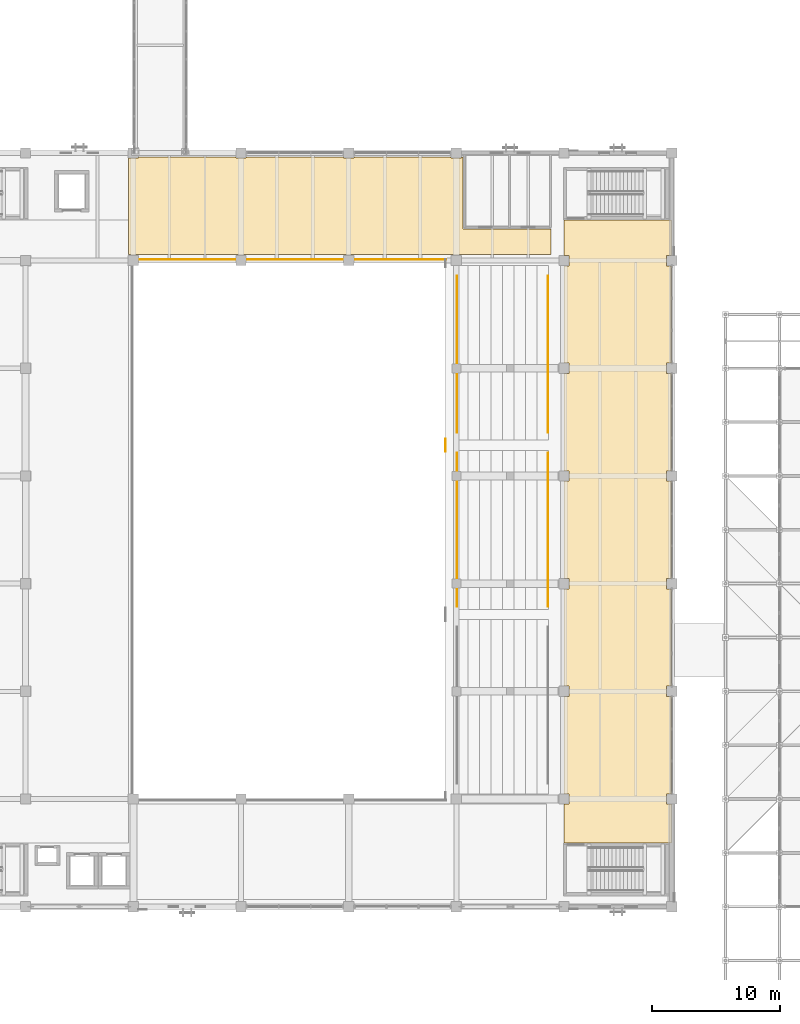
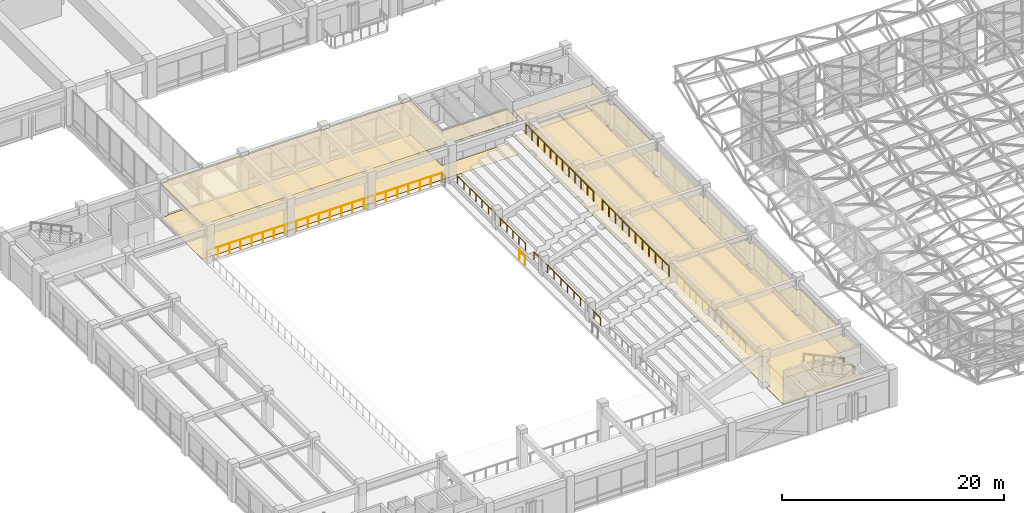
# One storey, part 108 of 132: 6 railings, 4 coverings.
"""IFC4 building model written with IfcOpenShell, lengths in metres."""

import ifcopenshell
import ifcopenshell.guid

model = None  # the IFC model being written
_history = None  # IfcOwnerHistory: only IFC2X3 demands one
_inside = {}  # id of a spatial element -> (the spatial element, [elements in it])
_under = {}  # id of a project, library or spatial element -> (it, [spatial elements below it])
_declared = {}  # id of a project -> (the project, [libraries it declares])
_typed = {}  # id of a type object -> (the type object, [elements of that type])
_made_of = {}  # id of a material, layer set ... -> (it, [elements and type objects made of it])


def new_model(schema):
    """Start an empty IFC model of exactly this schema.

    Asked for "IFC4X3", IfcOpenShell would pick the latest addendum, in which some entities
    have other attributes; the version numbers below select the first issue.
    IFC2X3 requires an IfcOwnerHistory on every rooted entity: one is made here for all.
    """
    global model, _history
    if schema == "IFC4X3":
        model = ifcopenshell.file(schema_version=(4, 3, 0, 0))
    else:
        model = ifcopenshell.file(schema=schema)
    _inside.clear()
    _under.clear()
    _declared.clear()
    _typed.clear()
    _made_of.clear()
    _history = None
    if model.schema == "IFC2X3":
        org = make("IfcOrganization", Name="unknown")
        user = make(
            "IfcPersonAndOrganization",
            ThePerson=make("IfcPerson", FamilyName="unknown"),
            TheOrganization=org,
        )
        app = make(
            "IfcApplication",
            ApplicationDeveloper=org,
            Version="unknown",
            ApplicationFullName="unknown",
            ApplicationIdentifier="unknown",
        )
        _history = make(
            "IfcOwnerHistory",
            OwningUser=user,
            OwningApplication=app,
            ChangeAction="ADDED",
            CreationDate=0,
        )
    return model


def make(cls, **values):
    """One entity of the class cls with the attributes given. An attribute that is None is left unset."""
    return model.create_entity(
        cls, **{name: value for name, value in values.items() if value is not None}
    )


def rooted(cls, **values):
    """An entity with a GlobalId (a new one), such as an element, a storey or a relation."""
    return make(cls, GlobalId=ifcopenshell.guid.new(), OwnerHistory=_history, **values)


def si_unit(unit_type, name, prefix=None):
    """IfcSIUnit, for example si_unit("LENGTHUNIT", "METRE", prefix="MILLI")."""
    return make("IfcSIUnit", UnitType=unit_type, Prefix=prefix, Name=name)


def assignment(units):
    """IfcUnitAssignment: the units of a project."""
    return None if units is None else make("IfcUnitAssignment", Units=units)


def point(xyz):
    """IfcCartesianPoint."""
    return None if xyz is None else make("IfcCartesianPoint", Coordinates=xyz)


def direction(xyz):
    """IfcDirection."""
    return None if xyz is None else make("IfcDirection", DirectionRatios=xyz)


def frame(location, z_axis=None, x_axis=None):
    """IfcAxis2Placement3D, a coordinate frame: its origin and axes. An axis left out is left unset."""
    return make(
        "IfcAxis2Placement3D",
        Location=point(location),
        Axis=direction(z_axis),
        RefDirection=direction(x_axis),
    )


def frame_2d(location, x_axis=None):
    """IfcAxis2Placement2D, a coordinate frame in the plane: its origin and x axis."""
    return make(
        "IfcAxis2Placement2D", Location=point(location), RefDirection=direction(x_axis)
    )


def origin():
    """The frame at (0, 0, 0) with its axes left unset."""
    return frame((0.0, 0.0, 0.0))


def origin_2d():
    """The frame at (0, 0) in the plane with its x axis left unset."""
    return frame_2d((0.0, 0.0))


def place(relative_to, where):
    """IfcLocalPlacement: puts the frame where relative to a parent placement (None: the world)."""
    return make(
        "IfcLocalPlacement", PlacementRelTo=relative_to, RelativePlacement=where
    )


def context(
    kind, dimensions, precision=None, world=None, true_north=None, identifier=None
):
    """IfcGeometricRepresentationContext, for example the 3D "Model" context."""
    return make(
        "IfcGeometricRepresentationContext",
        ContextIdentifier=identifier,
        ContextType=kind,
        CoordinateSpaceDimension=dimensions,
        Precision=precision,
        WorldCoordinateSystem=world,
        TrueNorth=true_north,
    )


def subcontext(parent, identifier, kind, view, scale=None):
    """IfcGeometricRepresentationSubContext, for example "Body" below "Model"."""
    return make(
        "IfcGeometricRepresentationSubContext",
        ContextIdentifier=identifier,
        ContextType=kind,
        ParentContext=parent,
        TargetScale=scale,
        TargetView=view,
    )


def project(units=None, contexts=None):
    """IfcProject with its units and contexts."""
    return rooted(
        "IfcProject",
        Name="project",
        RepresentationContexts=contexts,
        UnitsInContext=assignment(units),
    )


def spatial(cls, under=None, at=None, **own):
    """A site, building, storey or space (cls), placed at a placement, below another one or the project."""
    s = rooted(cls, ObjectPlacement=at, **own)
    if under is not None:
        _under.setdefault(under.id(), (under, []))[1].append(s)
    return s


def polyline(points):
    """IfcPolyline through the points."""
    return make("IfcPolyline", Points=[point(p) for p in points])


def profile(cls, at=None, kind="AREA", **sizes):
    """A parametric profile (cls). Its sizes go by their IFC names, for example OverallWidth=200.0."""
    return make(cls, ProfileType=kind, Position=at, **sizes)


def circle(**sizes):
    """IfcCircleProfileDef."""
    return profile("IfcCircleProfileDef", **sizes)


def outline(outer, holes=None, kind="AREA"):
    """IfcArbitraryClosedProfileDef: a profile drawn as a closed curve; with holes, ...WithVoids."""
    if holes is None:
        return make("IfcArbitraryClosedProfileDef", ProfileType=kind, OuterCurve=outer)
    return make(
        "IfcArbitraryProfileDefWithVoids",
        ProfileType=kind,
        OuterCurve=outer,
        InnerCurves=holes,
    )


def extrude(swept, where, along, depth):
    """IfcExtrudedAreaSolid: the profile swept, set in the frame where, extruded along a direction by depth."""
    return make(
        "IfcExtrudedAreaSolid",
        SweptArea=swept,
        Position=where,
        ExtrudedDirection=direction(along),
        Depth=depth,
    )


def shape(context_of_items, identifier, shape_type, items):
    """IfcShapeRepresentation: the items that make up one representation, for example the "Body"."""
    return make(
        "IfcShapeRepresentation",
        ContextOfItems=context_of_items,
        RepresentationIdentifier=identifier,
        RepresentationType=shape_type,
        Items=items,
    )


def material(Name=None, Category=None):
    """IfcMaterial."""
    return make("IfcMaterial", Name=Name, Category=Category)


def layer(
    of_material, thickness, ventilated=None, Name=None, Category=None, Priority=None
):
    """IfcMaterialLayer: one layer of a wall or slab, of a material (None: an air gap)."""
    return make(
        "IfcMaterialLayer",
        Material=of_material,
        LayerThickness=thickness,
        IsVentilated=ventilated,
        Name=Name,
        Category=Category,
        Priority=Priority,
    )


def layer_set(layers, Name=None):
    """IfcMaterialLayerSet."""
    return make("IfcMaterialLayerSet", MaterialLayers=layers, LayerSetName=Name)


def made_of(thing, what):
    """Note that an element or type object is made of a material, layer set ...; save() writes the relation."""
    if what is not None:
        _made_of.setdefault(what.id(), (what, []))[1].append(thing)
    return thing


def type_object(cls, material=None, **own):
    """A type object (cls), such as IfcWallType, which elements share."""
    return made_of(rooted(cls, **own), material)


def element(
    cls,
    number,
    at=None,
    inside=None,
    cuts=None,
    type_object=None,
    material=None,
    context=None,
    identifier="Body",
    shape_type=None,
    held_by="IfcProductDefinitionShape",
    body=None,
    shapes=None,
    **own,
):
    """One element of the class cls, such as IfcWall. Its Tag is "e" and its number.

    at: its placement. inside: the storey or other place that contains it. cuts: it is an
    opening in that element (IfcRelVoidsElement). A single representation is given by context,
    identifier, shape_type and body (its items); several are given by shapes. held_by: the class
    of the entity that holds the representations. save() writes the other relations.
    """
    e = rooted(cls, Tag="e%d" % number, ObjectPlacement=at, **own)
    if body is not None:
        shapes = [shape(context, identifier, shape_type, body)]
    if shapes is not None:
        e.Representation = make(held_by, Representations=shapes)
    if inside is not None:
        _inside.setdefault(inside.id(), (inside, []))[1].append(e)
    if cuts is not None:
        rooted(
            "IfcRelVoidsElement", RelatingBuildingElement=cuts, RelatedOpeningElement=e
        )
    if type_object is not None:
        _typed.setdefault(type_object.id(), (type_object, []))[1].append(e)
    return made_of(e, material)


def aggregate(whole, parts):
    """IfcRelAggregates: a whole, such as a stair, and the parts it consists of."""
    return rooted("IfcRelAggregates", RelatingObject=whole, RelatedObjects=parts)


def save(model, path):
    """Write the relations noted so far, then the file.

    IfcRelAggregates (storeys below a building ...), IfcRelContainedInSpatialStructure (elements
    in a storey), IfcRelDefinesByType, IfcRelAssociatesMaterial and IfcRelDeclares: one each for
    every whole, place, type object, material and project.
    """
    for whole, parts in _under.values():
        aggregate(whole, parts)
    for where, things in _inside.values():
        rooted(
            "IfcRelContainedInSpatialStructure",
            RelatedElements=things,
            RelatingStructure=where,
        )
    for kind, things in _typed.values():
        rooted("IfcRelDefinesByType", RelatedObjects=things, RelatingType=kind)
    for what, things in _made_of.values():
        rooted("IfcRelAssociatesMaterial", RelatedObjects=things, RelatingMaterial=what)
    for by, libraries in _declared.values():
        rooted("IfcRelDeclares", RelatingContext=by, RelatedDefinitions=libraries)
    model.write(path)


model = new_model("IFC4")

# Units and contexts
model_context = context("Model", 3, precision=1e-05, world=origin(), true_north=direction((0.0, 1.0)))
body_context = subcontext(model_context, "Body", "Model", "MODEL_VIEW")
ifc_project = project(units=[si_unit("LENGTHUNIT", "METRE"), si_unit("AREAUNIT", "SQUARE_METRE"), si_unit("VOLUMEUNIT", "CUBIC_METRE"), si_unit("PLANEANGLEUNIT", "RADIAN"), si_unit("MASSUNIT", "GRAM", prefix="KILO")], contexts=[model_context])

# Site, building, storey
site_placement = place(None, origin())
site = spatial("IfcSite", under=ifc_project, at=site_placement, CompositionType="ELEMENT")
building_placement = place(site_placement, origin())
building = spatial("IfcBuilding", under=site, at=building_placement, Name="Cumbredor Promenade Congress Hotel", CompositionType="ELEMENT")
storey_placement = place(building_placement, frame((0.0, 0.0, 7.56005859375)))
storey = spatial("IfcBuildingStorey", under=building, at=storey_placement, Name="L02", CompositionType="ELEMENT", Elevation=7.56005859375)

# Coverings
ifc_material_1 = material(Name="Acoustic mineral-fiber and gypsum ceiling")
ifc_layer_1 = layer(ifc_material_1, 0.028076171875, Name="Acoustic mineral-fiber and gypsum ceiling")
ifc_layer_set_1 = layer_set([ifc_layer_1], Name="Acoustic mineral-fiber and gypsum ceiling")
covering_type_1 = type_object("IfcCoveringType", Name="Acoustic Perforated Gypsum Ceiling CLG-03 28mm", PredefinedType="CEILING", material=ifc_layer_set_1)
covering_1_placement = place(storey_placement, frame((0.0, 0.0, 3.77197265625)))
element("IfcCovering", 1, at=covering_1_placement, inside=storey, type_object=covering_type_1, Name="L02 Plenary North Concourse Corridor Acoustic Ceiling", PredefinedType="CEILING", context=body_context, shape_type="SweptSolid", body=[
    extrude(outline(polyline([(25.60498046875, 66.8701171875), (33.195068359375, 66.8701171875), (33.195068359375, 66.794921875), (34.0048828125, 66.794921875), (34.0048828125, 66.8701171875), (41.594970703125, 66.8701171875), (41.594970703125, 66.794921875), (42.405029296875, 66.794921875), (42.405029296875, 66.8701171875), (49.9951171875, 66.8701171875), (49.9951171875, 66.794921875), (50.804931640625, 66.794921875), (50.804931640625, 66.8701171875), (50.89990234375, 66.8701171875), (50.89990234375, 61.25), (57.77001953125, 61.25), (57.77001953125, 59.280029296875), (24.830078125, 59.280029296875), (24.830078125, 66.794921875), (25.60498046875, 66.794921875), (25.60498046875, 66.8701171875)])), origin(), (0.0, 0.0, 1.0), 0.028076171875),
])
ifc_layer_2 = layer(ifc_material_1, 0.031982421875, Name="Acoustic mineral-fiber and gypsum ceiling")
ifc_layer_set_2 = layer_set([ifc_layer_2], Name="Acoustic mineral-fiber and gypsum ceiling")
covering_type_2 = type_object("IfcCoveringType", Name="Acoustic Perforated Gypsum Ceiling CLG-04 32mm", PredefinedType="CEILING", material=ifc_layer_set_2)
covering_2_placement = place(storey_placement, frame((0.0, 0.0, 2.81884765625)))
element("IfcCovering", 2, at=covering_2_placement, inside=storey, type_object=covering_type_2, Name="Upper Balcony East Foyer Lounge Acoustic Ceiling", PredefinedType="CEILING", context=body_context, shape_type="SweptSolid", body=[
    extrude(outline(polyline([(58.780029296875, 33.195068359375), (59.205078125, 33.195068359375), (59.205078125, 34.0048828125), (58.780029296875, 34.0048828125), (58.780029296875, 41.594970703125), (59.205078125, 41.594970703125), (59.205078125, 42.405029296875), (58.780029296875, 42.405029296875), (58.780029296875, 49.9951171875), (59.205078125, 49.9951171875), (59.205078125, 50.804931640625), (58.780029296875, 50.804931640625), (58.780029296875, 58.39501953125), (59.205078125, 58.39501953125), (59.205078125, 59.205078125), (58.780029296875, 59.205078125), (58.780029296875, 61.969970703125), (67.169921875, 61.969970703125), (67.169921875, 59.205078125), (66.794921875, 59.205078125), (66.794921875, 58.39501953125), (67.169921875, 58.39501953125), (67.169921875, 50.804931640625), (66.794921875, 50.804931640625), (66.794921875, 49.9951171875), (67.169921875, 49.9951171875), (67.169921875, 42.405029296875), (66.794921875, 42.405029296875), (66.794921875, 41.594970703125), (67.169921875, 41.594970703125), (67.169921875, 34.0048828125), (66.794921875, 34.0048828125), (66.794921875, 33.195068359375), (67.169921875, 33.195068359375), (67.169921875, 25.60498046875), (66.794921875, 25.60498046875), (66.794921875, 24.794921875), (67.169921875, 24.794921875), (67.169921875, 17.205078125), (66.794921875, 17.205078125), (66.794921875, 16.39501953125), (67.169921875, 16.39501953125), (67.169921875, 13.3798828125), (58.780029296875, 13.3798828125), (58.780029296875, 16.39501953125), (59.205078125, 16.39501953125), (59.205078125, 17.205078125), (58.780029296875, 17.205078125), (58.780029296875, 24.794921875), (59.205078125, 24.794921875), (59.205078125, 25.60498046875), (58.780029296875, 25.60498046875), (58.780029296875, 33.195068359375)])), origin(), (0.0, 0.0, 1.0), 0.031982421875),
])

# Railings
ifc_material_2 = material(Name="Brushed stainless steel", Category="steel")
railing_type_1 = type_object("IfcRailingType", Name="Interior Void & Stair Guardrail GR-1100", PredefinedType="GUARDRAIL", material=ifc_material_2)
railing_1_placement = place(storey_placement, frame((25.10009765625, 58.89990234375, 0.0)))
element("IfcRailing", 3, at=railing_1_placement, inside=storey, type_object=railing_type_1, Name="L02 v1_plenary_bowl Void Perimeter Guardrail 3", PredefinedType="GUARDRAIL", context=body_context, shape_type="SweptSolid", body=[
    extrude(circle(Radius=0.02392578125, at=origin_2d()), frame((0.0, 0.0, 1.09619140625), z_axis=(1.0, 0.0, 0.0), x_axis=(0.0, 1.0, 0.0)), (0.0, 0.0, 1.0), 24.5),
    extrude(circle(Radius=0.02099609375, at=origin_2d()), origin(), (0.0, 0.0, 1.0), 1.072021484375),
    extrude(circle(Radius=0.02099609375, at=origin_2d()), frame((1.166748046875, 0.0, 0.0)), (0.0, 0.0, 1.0), 1.072021484375),
    extrude(circle(Radius=0.02099609375, at=origin_2d()), frame((2.333251953125, 0.0, 0.0)), (0.0, 0.0, 1.0), 1.072021484375),
    extrude(circle(Radius=0.02099609375, at=origin_2d()), frame((3.5, 0.0, 0.0)), (0.0, 0.0, 1.0), 1.072021484375),
    extrude(circle(Radius=0.02099609375, at=origin_2d()), frame((4.666748046875, 0.0, 0.0)), (0.0, 0.0, 1.0), 1.072021484375),
    extrude(circle(Radius=0.02099609375, at=origin_2d()), frame((5.833251953125, 0.0, 0.0)), (0.0, 0.0, 1.0), 1.072021484375),
    extrude(circle(Radius=0.02099609375, at=origin_2d()), frame((7.0, 0.0, 0.0)), (0.0, 0.0, 1.0), 1.072021484375),
    extrude(circle(Radius=0.02099609375, at=origin_2d()), frame((8.166748046875, 0.0, 0.0)), (0.0, 0.0, 1.0), 1.072021484375),
    extrude(circle(Radius=0.02099609375, at=origin_2d()), frame((9.333251953125, 0.0, 0.0)), (0.0, 0.0, 1.0), 1.072021484375),
    extrude(circle(Radius=0.02099609375, at=origin_2d()), frame((10.5, 0.0, 0.0)), (0.0, 0.0, 1.0), 1.072021484375),
    extrude(circle(Radius=0.02099609375, at=origin_2d()), frame((11.666748046875, 0.0, 0.0)), (0.0, 0.0, 1.0), 1.072021484375),
    extrude(circle(Radius=0.02099609375, at=origin_2d()), frame((12.833251953125, 0.0, 0.0)), (0.0, 0.0, 1.0), 1.072021484375),
    extrude(circle(Radius=0.02099609375, at=origin_2d()), frame((14.0, 0.0, 0.0)), (0.0, 0.0, 1.0), 1.072021484375),
    extrude(circle(Radius=0.02099609375, at=origin_2d()), frame((15.166748046875, 0.0, 0.0)), (0.0, 0.0, 1.0), 1.072021484375),
    extrude(circle(Radius=0.02099609375, at=origin_2d()), frame((16.333251953125, 0.0, 0.0)), (0.0, 0.0, 1.0), 1.072021484375),
    extrude(circle(Radius=0.02099609375, at=origin_2d()), frame((17.5, 0.0, 0.0)), (0.0, 0.0, 1.0), 1.072021484375),
    extrude(circle(Radius=0.02099609375, at=origin_2d()), frame((18.666748046875, 0.0, 0.0)), (0.0, 0.0, 1.0), 1.072021484375),
    extrude(circle(Radius=0.02099609375, at=origin_2d()), frame((19.833251953125, 0.0, 0.0)), (0.0, 0.0, 1.0), 1.072021484375),
    extrude(circle(Radius=0.02099609375, at=origin_2d()), frame((21.0, 0.0, 0.0)), (0.0, 0.0, 1.0), 1.072021484375),
    extrude(circle(Radius=0.02099609375, at=origin_2d()), frame((22.166748046875, 0.0, 0.0)), (0.0, 0.0, 1.0), 1.072021484375),
    extrude(circle(Radius=0.02099609375, at=origin_2d()), frame((23.333251953125, 0.0, 0.0)), (0.0, 0.0, 1.0), 1.072021484375),
    extrude(circle(Radius=0.02099609375, at=origin_2d()), frame((24.5, 0.0, 0.0)), (0.0, 0.0, 1.0), 1.072021484375),
])
railing_2_placement = place(storey_placement, frame((49.550048828125, 43.89990234375, 0.0)))
element("IfcRailing", 4, at=railing_2_placement, inside=storey, type_object=railing_type_1, Name="L02 v1_plenary_bowl Void Perimeter Guardrail 6", PredefinedType="GUARDRAIL", context=body_context, shape_type="SweptSolid", body=[
    extrude(circle(Radius=0.02392578125, at=origin_2d()), frame((0.0, 0.0, 1.09619140625), z_axis=(0.0, 1.0, 0.0), x_axis=(-1.0, 0.0, 0.0)), (0.0, 0.0, 1.0), 1.0),
    extrude(circle(Radius=0.02099609375, at=origin_2d()), origin(), (0.0, 0.0, 1.0), 1.072021484375),
    extrude(circle(Radius=0.02099609375, at=origin_2d()), frame((0.0, 1.0, 0.0)), (0.0, 0.0, 1.0), 1.072021484375),
])
railing_3_placement = place(storey_placement, frame((57.550048828125, 31.800048828125, 3.35986328125)))
element("IfcRailing", 5, at=railing_3_placement, inside=storey, type_object=railing_type_1, Name="Upper Balcony Tier 2 Rear Guardrail", PredefinedType="GUARDRAIL", context=body_context, shape_type="SweptSolid", body=[
    extrude(circle(Radius=0.02392578125, at=origin_2d()), frame((0.0, 0.0, 1.09619140625), z_axis=(0.0, 1.0, 0.0), x_axis=(-1.0, 0.0, 0.0)), (0.0, 0.0, 1.0), 12.0),
    extrude(circle(Radius=0.02099609375, at=origin_2d()), origin(), (0.0, 0.0, 1.0), 1.072021484375),
    extrude(circle(Radius=0.02099609375, at=origin_2d()), frame((0.0, 1.199951171875, 0.0)), (0.0, 0.0, 1.0), 1.072021484375),
    extrude(circle(Radius=0.02099609375, at=origin_2d()), frame((0.0, 2.39990234375, 0.0)), (0.0, 0.0, 1.0), 1.072021484375),
    extrude(circle(Radius=0.02099609375, at=origin_2d()), frame((0.0, 3.60009765625, 0.0)), (0.0, 0.0, 1.0), 1.072021484375),
    extrude(circle(Radius=0.02099609375, at=origin_2d()), frame((0.0, 4.800048828125, 0.0)), (0.0, 0.0, 1.0), 1.072021484375),
    extrude(circle(Radius=0.02099609375, at=origin_2d()), frame((0.0, 6.0, 0.0)), (0.0, 0.0, 1.0), 1.072021484375),
    extrude(circle(Radius=0.02099609375, at=origin_2d()), frame((0.0, 7.199951171875, 0.0)), (0.0, 0.0, 1.0), 1.072021484375),
    extrude(circle(Radius=0.02099609375, at=origin_2d()), frame((0.0, 8.39990234375, 0.0)), (0.0, 0.0, 1.0), 1.072021484375),
    extrude(circle(Radius=0.02099609375, at=origin_2d()), frame((0.0, 9.60009765625, 0.0)), (0.0, 0.0, 1.0), 1.072021484375),
    extrude(circle(Radius=0.02099609375, at=origin_2d()), frame((0.0, 10.800048828125, 0.0)), (0.0, 0.0, 1.0), 1.072021484375),
    extrude(circle(Radius=0.02099609375, at=origin_2d()), frame((0.0, 12.0, 0.0)), (0.0, 0.0, 1.0), 1.072021484375),
])
railing_4_placement = place(storey_placement, frame((57.550048828125, 45.39990234375, 3.35986328125)))
element("IfcRailing", 6, at=railing_4_placement, inside=storey, type_object=railing_type_1, Name="Upper Balcony Tier 3 Rear Guardrail", PredefinedType="GUARDRAIL", context=body_context, shape_type="SweptSolid", body=[
    extrude(circle(Radius=0.02392578125, at=origin_2d()), frame((0.0, 0.0, 1.09619140625), z_axis=(0.0, 1.0, 0.0), x_axis=(-1.0, 0.0, 0.0)), (0.0, 0.0, 1.0), 12.2001953125),
    extrude(circle(Radius=0.02099609375, at=origin_2d()), origin(), (0.0, 0.0, 1.0), 1.072021484375),
    extrude(circle(Radius=0.02099609375, at=origin_2d()), frame((0.0, 1.109130859375, 0.0)), (0.0, 0.0, 1.0), 1.072021484375),
    extrude(circle(Radius=0.02099609375, at=origin_2d()), frame((0.0, 2.21826171875, 0.0)), (0.0, 0.0, 1.0), 1.072021484375),
    extrude(circle(Radius=0.02099609375, at=origin_2d()), frame((0.0, 3.327392578125, 0.0)), (0.0, 0.0, 1.0), 1.072021484375),
    extrude(circle(Radius=0.02099609375, at=origin_2d()), frame((0.0, 4.4365234375, 0.0)), (0.0, 0.0, 1.0), 1.072021484375),
    extrude(circle(Radius=0.02099609375, at=origin_2d()), frame((0.0, 5.545654296875, 0.0)), (0.0, 0.0, 1.0), 1.072021484375),
    extrude(circle(Radius=0.02099609375, at=origin_2d()), frame((0.0, 6.654541015625, 0.0)), (0.0, 0.0, 1.0), 1.072021484375),
    extrude(circle(Radius=0.02099609375, at=origin_2d()), frame((0.0, 7.763671875, 0.0)), (0.0, 0.0, 1.0), 1.072021484375),
    extrude(circle(Radius=0.02099609375, at=origin_2d()), frame((0.0, 8.872802734375, 0.0)), (0.0, 0.0, 1.0), 1.072021484375),
    extrude(circle(Radius=0.02099609375, at=origin_2d()), frame((0.0, 9.98193359375, 0.0)), (0.0, 0.0, 1.0), 1.072021484375),
    extrude(circle(Radius=0.02099609375, at=origin_2d()), frame((0.0, 11.091064453125, 0.0)), (0.0, 0.0, 1.0), 1.072021484375),
    extrude(circle(Radius=0.02099609375, at=origin_2d()), frame((0.0, 12.2001953125, 0.0)), (0.0, 0.0, 1.0), 1.072021484375),
])

# Coverings
ifc_material_3 = material(Name="Porcelain stoneware tile", Category="masonry")
ifc_layer_3 = layer(ifc_material_3, 0.02490234375, Name="Porcelain stoneware tile", Category="masonry")
ifc_layer_set_3 = layer_set([ifc_layer_3], Name="Porcelain stoneware tile")
covering_type_3 = type_object("IfcCoveringType", Name="Porcelain Stoneware Flooring FLR-02 25mm", PredefinedType="FLOORING", material=ifc_layer_set_3)
covering_3_placement = place(storey_placement, origin())
element("IfcCovering", 7, at=covering_3_placement, inside=storey, type_object=covering_type_3, Name="L02 Plenary North Concourse Corridor Porcelain Flooring", PredefinedType="FLOORING", context=body_context, shape_type="SweptSolid", body=[
    extrude(outline(polyline([(25.60498046875, 66.8701171875), (33.195068359375, 66.8701171875), (33.195068359375, 66.794921875), (34.0048828125, 66.794921875), (34.0048828125, 66.8701171875), (41.594970703125, 66.8701171875), (41.594970703125, 66.794921875), (42.405029296875, 66.794921875), (42.405029296875, 66.8701171875), (49.9951171875, 66.8701171875), (49.9951171875, 66.794921875), (50.804931640625, 66.794921875), (50.804931640625, 66.8701171875), (50.89990234375, 66.8701171875), (50.89990234375, 61.25), (57.77001953125, 61.25), (57.77001953125, 59.280029296875), (24.830078125, 59.280029296875), (24.830078125, 66.794921875), (25.60498046875, 66.794921875), (25.60498046875, 66.8701171875)])), origin(), (0.0, 0.0, 1.0), 0.02490234375),
])
ifc_layer_4 = layer(ifc_material_3, 0.030029296875, Name="Porcelain stoneware tile", Category="masonry")
ifc_layer_set_4 = layer_set([ifc_layer_4], Name="Porcelain stoneware tile")
covering_type_4 = type_object("IfcCoveringType", Name="Porcelain Stoneware Flooring FLR-03 30mm", PredefinedType="FLOORING", material=ifc_layer_set_4)
covering_4_placement = place(storey_placement, origin())
element("IfcCovering", 8, at=covering_4_placement, inside=storey, type_object=covering_type_4, Name="Upper Balcony East Foyer Lounge Porcelain Flooring", PredefinedType="FLOORING", context=body_context, shape_type="SweptSolid", body=[
    extrude(outline(polyline([(58.780029296875, 33.195068359375), (59.205078125, 33.195068359375), (59.205078125, 34.0048828125), (58.780029296875, 34.0048828125), (58.780029296875, 41.594970703125), (59.205078125, 41.594970703125), (59.205078125, 42.405029296875), (58.780029296875, 42.405029296875), (58.780029296875, 49.9951171875), (59.205078125, 49.9951171875), (59.205078125, 50.804931640625), (58.780029296875, 50.804931640625), (58.780029296875, 58.39501953125), (59.205078125, 58.39501953125), (59.205078125, 59.205078125), (58.780029296875, 59.205078125), (58.780029296875, 61.969970703125), (67.169921875, 61.969970703125), (67.169921875, 59.205078125), (66.794921875, 59.205078125), (66.794921875, 58.39501953125), (67.169921875, 58.39501953125), (67.169921875, 50.804931640625), (66.794921875, 50.804931640625), (66.794921875, 49.9951171875), (67.169921875, 49.9951171875), (67.169921875, 42.405029296875), (66.794921875, 42.405029296875), (66.794921875, 41.594970703125), (67.169921875, 41.594970703125), (67.169921875, 34.0048828125), (66.794921875, 34.0048828125), (66.794921875, 33.195068359375), (67.169921875, 33.195068359375), (67.169921875, 25.60498046875), (66.794921875, 25.60498046875), (66.794921875, 24.794921875), (67.169921875, 24.794921875), (67.169921875, 17.205078125), (66.794921875, 17.205078125), (66.794921875, 16.39501953125), (67.169921875, 16.39501953125), (67.169921875, 13.3798828125), (58.780029296875, 13.3798828125), (58.780029296875, 16.39501953125), (59.205078125, 16.39501953125), (59.205078125, 17.205078125), (58.780029296875, 17.205078125), (58.780029296875, 24.794921875), (59.205078125, 24.794921875), (59.205078125, 25.60498046875), (58.780029296875, 25.60498046875), (58.780029296875, 33.195068359375)])), origin(), (0.0, 0.0, 1.0), 0.030029296875),
])

# Railings
railing_type_2 = type_object("IfcRailingType", Name="Seating Stand Front Sightline Guardrail GR-850", PredefinedType="GUARDRAIL", material=ifc_material_2)
railing_5_placement = place(storey_placement, frame((50.449951171875, 31.800048828125, 0.419921875)))
element("IfcRailing", 9, at=railing_5_placement, inside=storey, type_object=railing_type_2, Name="Upper Balcony Tier 2 Front Sightline Guardrail", PredefinedType="GUARDRAIL", context=body_context, shape_type="SweptSolid", body=[
    extrude(circle(Radius=0.02392578125, at=origin_2d()), frame((0.0, 0.0, 0.826171875), z_axis=(0.0, 1.0, 0.0), x_axis=(-1.0, 0.0, 0.0)), (0.0, 0.0, 1.0), 12.0),
    extrude(circle(Radius=0.02099609375, at=origin_2d()), origin(), (0.0, 0.0, 1.0), 0.802001953125),
    extrude(circle(Radius=0.02099609375, at=origin_2d()), frame((0.0, 1.199951171875, 0.0)), (0.0, 0.0, 1.0), 0.802001953125),
    extrude(circle(Radius=0.02099609375, at=origin_2d()), frame((0.0, 2.39990234375, 0.0)), (0.0, 0.0, 1.0), 0.802001953125),
    extrude(circle(Radius=0.02099609375, at=origin_2d()), frame((0.0, 3.60009765625, 0.0)), (0.0, 0.0, 1.0), 0.802001953125),
    extrude(circle(Radius=0.02099609375, at=origin_2d()), frame((0.0, 4.800048828125, 0.0)), (0.0, 0.0, 1.0), 0.802001953125),
    extrude(circle(Radius=0.02099609375, at=origin_2d()), frame((0.0, 6.0, 0.0)), (0.0, 0.0, 1.0), 0.802001953125),
    extrude(circle(Radius=0.02099609375, at=origin_2d()), frame((0.0, 7.199951171875, 0.0)), (0.0, 0.0, 1.0), 0.802001953125),
    extrude(circle(Radius=0.02099609375, at=origin_2d()), frame((0.0, 8.39990234375, 0.0)), (0.0, 0.0, 1.0), 0.802001953125),
    extrude(circle(Radius=0.02099609375, at=origin_2d()), frame((0.0, 9.60009765625, 0.0)), (0.0, 0.0, 1.0), 0.802001953125),
    extrude(circle(Radius=0.02099609375, at=origin_2d()), frame((0.0, 10.800048828125, 0.0)), (0.0, 0.0, 1.0), 0.802001953125),
    extrude(circle(Radius=0.02099609375, at=origin_2d()), frame((0.0, 12.0, 0.0)), (0.0, 0.0, 1.0), 0.802001953125),
])
railing_6_placement = place(storey_placement, frame((50.449951171875, 45.39990234375, 0.419921875)))
element("IfcRailing", 10, at=railing_6_placement, inside=storey, type_object=railing_type_2, Name="Upper Balcony Tier 3 Front Sightline Guardrail", PredefinedType="GUARDRAIL", context=body_context, shape_type="SweptSolid", body=[
    extrude(circle(Radius=0.02392578125, at=origin_2d()), frame((0.0, 0.0, 0.826171875), z_axis=(0.0, 1.0, 0.0), x_axis=(-1.0, 0.0, 0.0)), (0.0, 0.0, 1.0), 12.2001953125),
    extrude(circle(Radius=0.02099609375, at=origin_2d()), origin(), (0.0, 0.0, 1.0), 0.802001953125),
    extrude(circle(Radius=0.02099609375, at=origin_2d()), frame((0.0, 1.109130859375, 0.0)), (0.0, 0.0, 1.0), 0.802001953125),
    extrude(circle(Radius=0.02099609375, at=origin_2d()), frame((0.0, 2.21826171875, 0.0)), (0.0, 0.0, 1.0), 0.802001953125),
    extrude(circle(Radius=0.02099609375, at=origin_2d()), frame((0.0, 3.327392578125, 0.0)), (0.0, 0.0, 1.0), 0.802001953125),
    extrude(circle(Radius=0.02099609375, at=origin_2d()), frame((0.0, 4.4365234375, 0.0)), (0.0, 0.0, 1.0), 0.802001953125),
    extrude(circle(Radius=0.02099609375, at=origin_2d()), frame((0.0, 5.545654296875, 0.0)), (0.0, 0.0, 1.0), 0.802001953125),
    extrude(circle(Radius=0.02099609375, at=origin_2d()), frame((0.0, 6.654541015625, 0.0)), (0.0, 0.0, 1.0), 0.802001953125),
    extrude(circle(Radius=0.02099609375, at=origin_2d()), frame((0.0, 7.763671875, 0.0)), (0.0, 0.0, 1.0), 0.802001953125),
    extrude(circle(Radius=0.02099609375, at=origin_2d()), frame((0.0, 8.872802734375, 0.0)), (0.0, 0.0, 1.0), 0.802001953125),
    extrude(circle(Radius=0.02099609375, at=origin_2d()), frame((0.0, 9.98193359375, 0.0)), (0.0, 0.0, 1.0), 0.802001953125),
    extrude(circle(Radius=0.02099609375, at=origin_2d()), frame((0.0, 11.091064453125, 0.0)), (0.0, 0.0, 1.0), 0.802001953125),
    extrude(circle(Radius=0.02099609375, at=origin_2d()), frame((0.0, 12.2001953125, 0.0)), (0.0, 0.0, 1.0), 0.802001953125),
])

save(model, "model.ifc")
